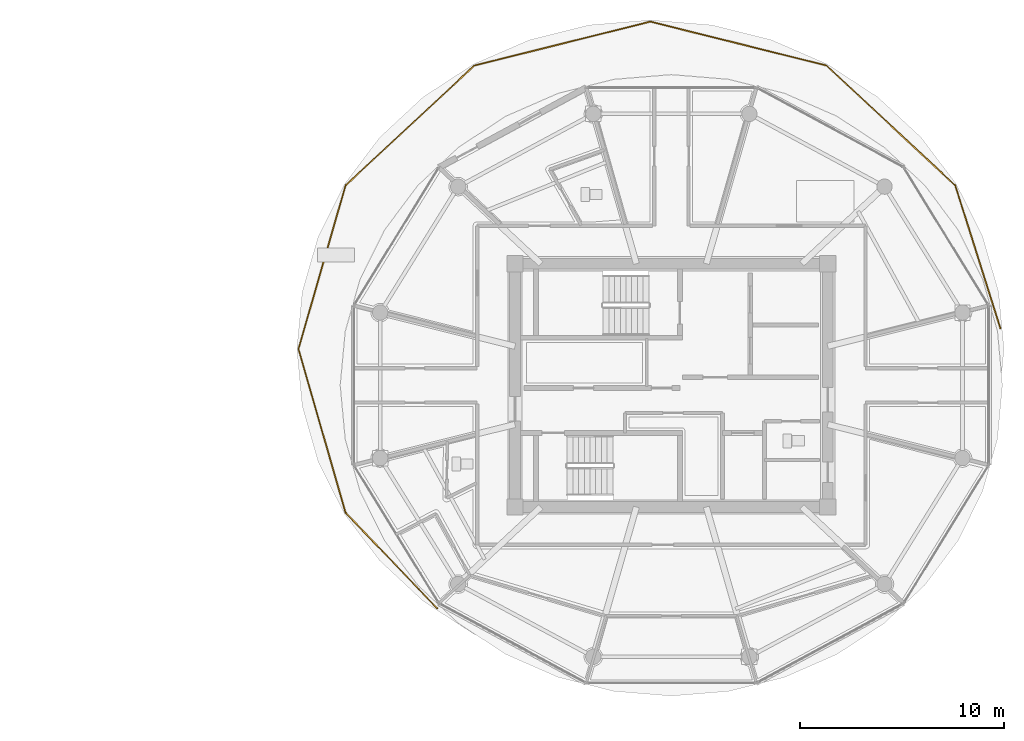
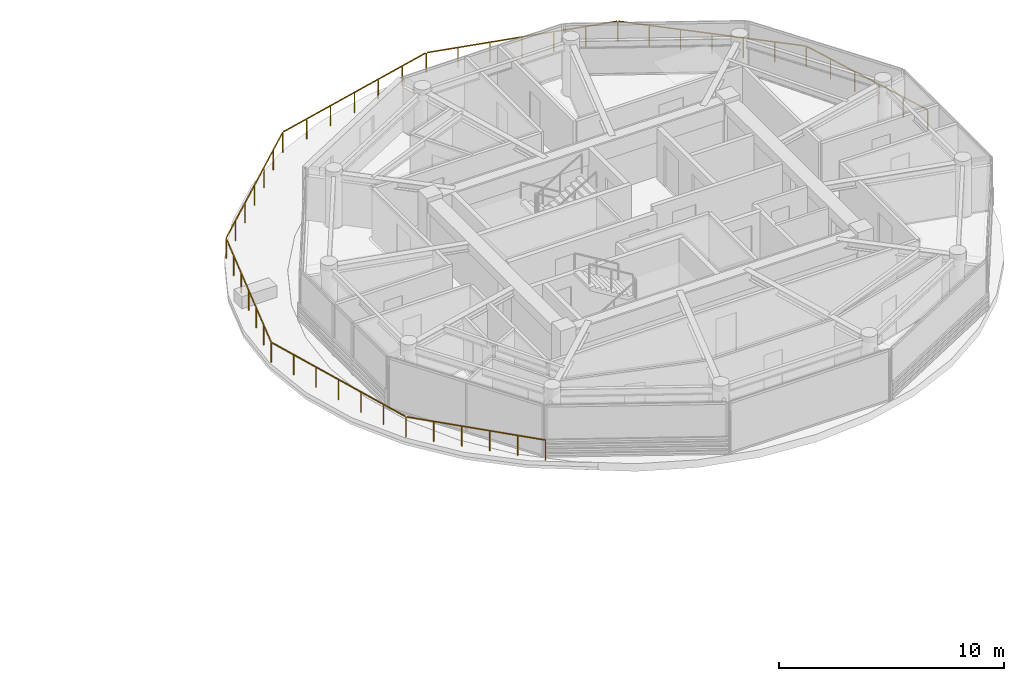
# One storey, part 25 of 28: 1 railing.
"""IFC4 building model written with IfcOpenShell, lengths in metres."""

from ifc_helpers import new_model, si_unit, direction, frame, origin, origin_2d, place, context, subcontext, project, spatial, rectangle, extrude, material, type_object, element, save


model = new_model("IFC4")

# Units and contexts
model_context = context("Model", 3, precision=1e-05, world=origin(), true_north=direction((0.0, 1.0)))
body_context = subcontext(model_context, "Body", "Model", "MODEL_VIEW")
ifc_project = project(units=[si_unit("LENGTHUNIT", "METRE"), si_unit("AREAUNIT", "SQUARE_METRE"), si_unit("VOLUMEUNIT", "CUBIC_METRE"), si_unit("PLANEANGLEUNIT", "RADIAN"), si_unit("MASSUNIT", "GRAM", prefix="KILO")], contexts=[model_context])

# Site, building, storey
site_placement = place(None, origin())
site = spatial("IfcSite", under=ifc_project, at=site_placement, CompositionType="ELEMENT")
building_placement = place(site_placement, origin())
building = spatial("IfcBuilding", under=site, at=building_placement, Name="Norrkilde Senior Care Towers", CompositionType="ELEMENT")
storey_placement = place(building_placement, frame((0.0, 0.0, 190.64990234375)))
storey = spatial("IfcBuildingStorey", under=building, at=storey_placement, Name="L59", CompositionType="ELEMENT", Elevation=190.64990234375)

# Railing
ifc_material = material(Name="Stainless Steel", Category="steel")
railing_type = type_object("IfcRailingType", Name="Stair and Terrace Guardrail 1100", PredefinedType="GUARDRAIL", material=ifc_material)
railing_placement = place(storey_placement, frame((16.541748046875, -10.91015625, 0.0)))
element("IfcRailing", 1, at=railing_placement, inside=storey, type_object=railing_type, Name="L59 Perimeter Safety Guard 01", PredefinedType="GUARDRAIL", context=body_context, shape_type="SweptSolid", body=[
    extrude(rectangle(XDim=0.048095703125, YDim=0.048095703125, at=origin_2d()), frame((0.0, 0.0, 1.09619140625), z_axis=(-0.691735071291, 0.722151363044, 0.0), x_axis=(-0.722151363044, -0.691735071291, 0.0)), (0.0, 0.0, 1.0), 6.4365234375),
    extrude(rectangle(XDim=0.048095703125, YDim=0.048095703125, at=origin_2d()), frame((-4.491943359375, 4.717041015625, 1.09619140625), z_axis=(-0.27668625495, 0.960960309441, 0.0), x_axis=(-0.960960309441, -0.27668625495, 0.0)), (0.0, 0.0, 1.0), 8.25146484375),
    extrude(rectangle(XDim=0.048095703125, YDim=0.048095703125, at=origin_2d()), frame((-6.775146484375, 12.724853515625, 1.09619140625), z_axis=(0.27669404493, 0.960958066463, 0.0), x_axis=(-0.960958066463, 0.27669404493, 0.0)), (0.0, 0.0, 1.0), 8.251220703125),
    extrude(rectangle(XDim=0.048095703125, YDim=0.048095703125, at=origin_2d()), frame((-4.45068359375, 20.720947265625, 1.09619140625), z_axis=(0.732046610246, 0.681254548922, 0.0), x_axis=(-0.681254548922, 0.732046610246, 0.0)), (0.0, 0.0, 1.0), 8.527099609375),
    extrude(rectangle(XDim=0.048095703125, YDim=0.048095703125, at=origin_2d()), frame((1.86083984375, 26.56787109375, 1.09619140625), z_axis=(0.970289561708, 0.241946618988, 0.0), x_axis=(-0.241946618988, 0.970289561708, 0.0)), (0.0, 0.0, 1.0), 8.7939453125),
    extrude(rectangle(XDim=0.048095703125, YDim=0.048095703125, at=origin_2d()), frame((10.472900390625, 28.6953125, 1.09619140625), z_axis=(0.970287951468, -0.241953076518, 0.0), x_axis=(0.241953076518, 0.970287951468, 0.0)), (0.0, 0.0, 1.0), 8.793701171875),
    extrude(rectangle(XDim=0.048095703125, YDim=0.048095703125, at=origin_2d()), frame((19.0751953125, 26.530029296875, 1.09619140625), z_axis=(0.732046610246, -0.681254548922, 0.0), x_axis=(0.681254548922, 0.732046610246, 0.0)), (0.0, 0.0, 1.0), 8.527099609375),
    extrude(rectangle(XDim=0.048095703125, YDim=0.048095703125, at=origin_2d()), frame((25.359375, 20.654052734375, 1.09619140625), z_axis=(0.301220512085, -0.953554509768, 0.0), x_axis=(0.953554509768, 0.301220512085, 0.0)), (0.0, 0.0, 1.0), 7.299072265625),
    extrude(rectangle(XDim=0.0419921875, YDim=0.0419921875, at=origin_2d()), origin(), (0.0, 0.0, 1.0), 1.070068359375),
    extrude(rectangle(XDim=0.0419921875, YDim=0.0419921875, at=origin_2d()), frame((-0.896240234375, 0.935546875, 0.0)), (0.0, 0.0, 1.0), 1.070068359375),
    extrude(rectangle(XDim=0.0419921875, YDim=0.0419921875, at=origin_2d()), frame((-1.792236328125, 1.87109375, 0.0)), (0.0, 0.0, 1.0), 1.070068359375),
    extrude(rectangle(XDim=0.0419921875, YDim=0.0419921875, at=origin_2d()), frame((-2.6884765625, 2.806640625, 0.0)), (0.0, 0.0, 1.0), 1.070068359375),
    extrude(rectangle(XDim=0.0419921875, YDim=0.0419921875, at=origin_2d()), frame((-3.58447265625, 3.7421875, 0.0)), (0.0, 0.0, 1.0), 1.070068359375),
    extrude(rectangle(XDim=0.0419921875, YDim=0.0419921875, at=origin_2d()), frame((-4.480712890625, 4.677734375, 0.0)), (0.0, 0.0, 1.0), 1.070068359375),
    extrude(rectangle(XDim=0.0419921875, YDim=0.0419921875, at=origin_2d()), frame((-4.864990234375, 6.012451171875, 0.0)), (0.0, 0.0, 1.0), 1.070068359375),
    extrude(rectangle(XDim=0.0419921875, YDim=0.0419921875, at=origin_2d()), frame((-5.249267578125, 7.346923828125, 0.0)), (0.0, 0.0, 1.0), 1.070068359375),
    extrude(rectangle(XDim=0.0419921875, YDim=0.0419921875, at=origin_2d()), frame((-5.633544921875, 8.681640625, 0.0)), (0.0, 0.0, 1.0), 1.070068359375),
    extrude(rectangle(XDim=0.0419921875, YDim=0.0419921875, at=origin_2d()), frame((-6.017822265625, 10.016357421875, 0.0)), (0.0, 0.0, 1.0), 1.070068359375),
    extrude(rectangle(XDim=0.0419921875, YDim=0.0419921875, at=origin_2d()), frame((-6.402099609375, 11.350830078125, 0.0)), (0.0, 0.0, 1.0), 1.070068359375),
    extrude(rectangle(XDim=0.0419921875, YDim=0.0419921875, at=origin_2d()), frame((-6.786376953125, 12.685546875, 0.0)), (0.0, 0.0, 1.0), 1.070068359375),
    extrude(rectangle(XDim=0.0419921875, YDim=0.0419921875, at=origin_2d()), frame((-6.402099609375, 14.02001953125, 0.0)), (0.0, 0.0, 1.0), 1.070068359375),
    extrude(rectangle(XDim=0.0419921875, YDim=0.0419921875, at=origin_2d()), frame((-6.017822265625, 15.354736328125, 0.0)), (0.0, 0.0, 1.0), 1.070068359375),
    extrude(rectangle(XDim=0.0419921875, YDim=0.0419921875, at=origin_2d()), frame((-5.633544921875, 16.689453125, 0.0)), (0.0, 0.0, 1.0), 1.070068359375),
    extrude(rectangle(XDim=0.0419921875, YDim=0.0419921875, at=origin_2d()), frame((-5.249267578125, 18.02392578125, 0.0)), (0.0, 0.0, 1.0), 1.070068359375),
    extrude(rectangle(XDim=0.0419921875, YDim=0.0419921875, at=origin_2d()), frame((-4.864990234375, 19.3583984375, 0.0)), (0.0, 0.0, 1.0), 1.070068359375),
    extrude(rectangle(XDim=0.0419921875, YDim=0.0419921875, at=origin_2d()), frame((-4.480712890625, 20.693115234375, 0.0)), (0.0, 0.0, 1.0), 1.070068359375),
    extrude(rectangle(XDim=0.0419921875, YDim=0.0419921875, at=origin_2d()), frame((-3.430419921875, 21.670654296875, 0.0)), (0.0, 0.0, 1.0), 1.070068359375),
    extrude(rectangle(XDim=0.0419921875, YDim=0.0419921875, at=origin_2d()), frame((-2.380126953125, 22.64794921875, 0.0)), (0.0, 0.0, 1.0), 1.070068359375),
    extrude(rectangle(XDim=0.0419921875, YDim=0.0419921875, at=origin_2d()), frame((-1.32958984375, 23.62548828125, 0.0)), (0.0, 0.0, 1.0), 1.070068359375),
    extrude(rectangle(XDim=0.0419921875, YDim=0.0419921875, at=origin_2d()), frame((-0.279296875, 24.60302734375, 0.0)), (0.0, 0.0, 1.0), 1.070068359375),
    extrude(rectangle(XDim=0.0419921875, YDim=0.0419921875, at=origin_2d()), frame((0.77099609375, 25.580322265625, 0.0)), (0.0, 0.0, 1.0), 1.070068359375),
    extrude(rectangle(XDim=0.0419921875, YDim=0.0419921875, at=origin_2d()), frame((1.8212890625, 26.557861328125, 0.0)), (0.0, 0.0, 1.0), 1.070068359375),
    extrude(rectangle(XDim=0.0419921875, YDim=0.0419921875, at=origin_2d()), frame((3.256591796875, 26.915771484375, 0.0)), (0.0, 0.0, 1.0), 1.070068359375),
    extrude(rectangle(XDim=0.0419921875, YDim=0.0419921875, at=origin_2d()), frame((4.69189453125, 27.273681640625, 0.0)), (0.0, 0.0, 1.0), 1.070068359375),
    extrude(rectangle(XDim=0.0419921875, YDim=0.0419921875, at=origin_2d()), frame((6.12744140625, 27.631591796875, 0.0)), (0.0, 0.0, 1.0), 1.070068359375),
    extrude(rectangle(XDim=0.0419921875, YDim=0.0419921875, at=origin_2d()), frame((7.562744140625, 27.989501953125, 0.0)), (0.0, 0.0, 1.0), 1.070068359375),
    extrude(rectangle(XDim=0.0419921875, YDim=0.0419921875, at=origin_2d()), frame((8.998046875, 28.347412109375, 0.0)), (0.0, 0.0, 1.0), 1.070068359375),
    extrude(rectangle(XDim=0.0419921875, YDim=0.0419921875, at=origin_2d()), frame((10.433349609375, 28.705322265625, 0.0)), (0.0, 0.0, 1.0), 1.070068359375),
    extrude(rectangle(XDim=0.0419921875, YDim=0.0419921875, at=origin_2d()), frame((11.86865234375, 28.347412109375, 0.0)), (0.0, 0.0, 1.0), 1.070068359375),
    extrude(rectangle(XDim=0.0419921875, YDim=0.0419921875, at=origin_2d()), frame((13.303955078125, 27.989501953125, 0.0)), (0.0, 0.0, 1.0), 1.070068359375),
    extrude(rectangle(XDim=0.0419921875, YDim=0.0419921875, at=origin_2d()), frame((14.7392578125, 27.631591796875, 0.0)), (0.0, 0.0, 1.0), 1.070068359375),
    extrude(rectangle(XDim=0.0419921875, YDim=0.0419921875, at=origin_2d()), frame((16.174560546875, 27.273681640625, 0.0)), (0.0, 0.0, 1.0), 1.070068359375),
    extrude(rectangle(XDim=0.0419921875, YDim=0.0419921875, at=origin_2d()), frame((17.60986328125, 26.915771484375, 0.0)), (0.0, 0.0, 1.0), 1.070068359375),
    extrude(rectangle(XDim=0.0419921875, YDim=0.0419921875, at=origin_2d()), frame((19.045166015625, 26.557861328125, 0.0)), (0.0, 0.0, 1.0), 1.070068359375),
    extrude(rectangle(XDim=0.0419921875, YDim=0.0419921875, at=origin_2d()), frame((20.095458984375, 25.580322265625, 0.0)), (0.0, 0.0, 1.0), 1.070068359375),
    extrude(rectangle(XDim=0.0419921875, YDim=0.0419921875, at=origin_2d()), frame((21.145751953125, 24.60302734375, 0.0)), (0.0, 0.0, 1.0), 1.070068359375),
    extrude(rectangle(XDim=0.0419921875, YDim=0.0419921875, at=origin_2d()), frame((22.1962890625, 23.62548828125, 0.0)), (0.0, 0.0, 1.0), 1.070068359375),
    extrude(rectangle(XDim=0.0419921875, YDim=0.0419921875, at=origin_2d()), frame((23.24658203125, 22.64794921875, 0.0)), (0.0, 0.0, 1.0), 1.070068359375),
    extrude(rectangle(XDim=0.0419921875, YDim=0.0419921875, at=origin_2d()), frame((24.296875, 21.670654296875, 0.0)), (0.0, 0.0, 1.0), 1.070068359375),
    extrude(rectangle(XDim=0.0419921875, YDim=0.0419921875, at=origin_2d()), frame((25.34716796875, 20.693115234375, 0.0)), (0.0, 0.0, 1.0), 1.070068359375),
    extrude(rectangle(XDim=0.0419921875, YDim=0.0419921875, at=origin_2d()), frame((25.789306640625, 19.293212890625, 0.0)), (0.0, 0.0, 1.0), 1.070068359375),
    extrude(rectangle(XDim=0.0419921875, YDim=0.0419921875, at=origin_2d()), frame((26.2314453125, 17.8935546875, 0.0)), (0.0, 0.0, 1.0), 1.070068359375),
    extrude(rectangle(XDim=0.0419921875, YDim=0.0419921875, at=origin_2d()), frame((26.673828125, 16.49365234375, 0.0)), (0.0, 0.0, 1.0), 1.070068359375),
    extrude(rectangle(XDim=0.0419921875, YDim=0.0419921875, at=origin_2d()), frame((27.115966796875, 15.093994140625, 0.0)), (0.0, 0.0, 1.0), 1.070068359375),
    extrude(rectangle(XDim=0.0419921875, YDim=0.0419921875, at=origin_2d()), frame((27.55810546875, 13.694091796875, 0.0)), (0.0, 0.0, 1.0), 1.070068359375),
])

save(model, "model.ifc")
